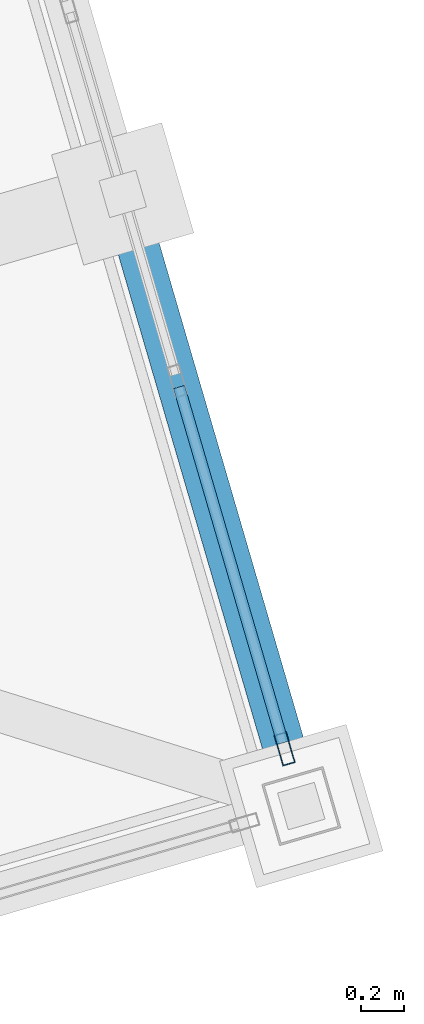
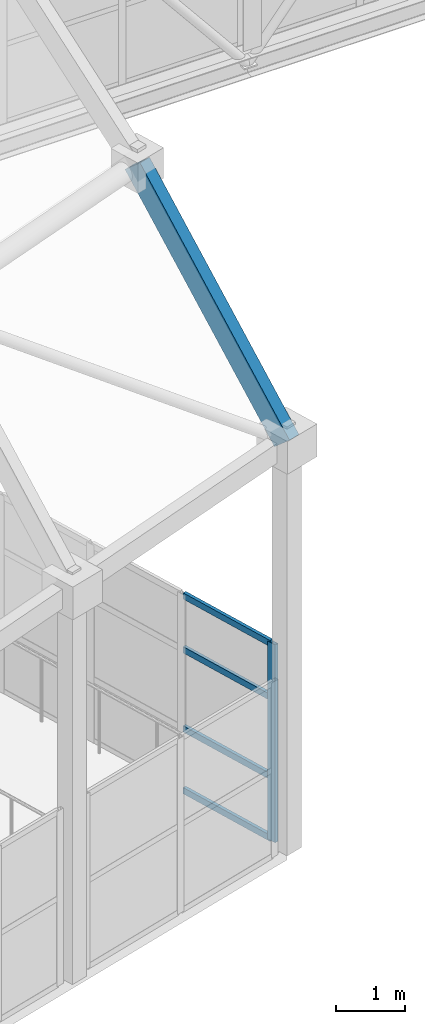
# One storey, part 71 of 248: 5 members, 1 beam, 1 element without a shape of its own.
"""IFC4 building model written with IfcOpenShell, lengths in metres."""

from ifc_helpers import new_model, si_unit, direction, frame, origin, origin_2d, place, context, subcontext, project, spatial, hollow_rectangle, extrude, material, layer, layer_set, material_profile, profile_set, type_object, element, aggregate, save


model = new_model("IFC4")

# Units and contexts
model_context = context("Model", 3, precision=1e-05, world=origin(), true_north=direction((0.0, 1.0)))
body_context = subcontext(model_context, "Body", "Model", "MODEL_VIEW")
ifc_project = project(units=[si_unit("LENGTHUNIT", "METRE"), si_unit("AREAUNIT", "SQUARE_METRE"), si_unit("VOLUMEUNIT", "CUBIC_METRE"), si_unit("PLANEANGLEUNIT", "RADIAN"), si_unit("MASSUNIT", "GRAM", prefix="KILO")], contexts=[model_context])

# Site, building, storey
site_placement = place(None, origin())
site = spatial("IfcSite", under=ifc_project, at=site_placement, CompositionType="ELEMENT")
building_placement = place(site_placement, origin())
building = spatial("IfcBuilding", under=site, at=building_placement, Name="Canggui Botanical Conservatory", CompositionType="ELEMENT")
storey_placement = place(building_placement, frame((0.0, 0.0, 5.39990234375)))
storey = spatial("IfcBuildingStorey", under=building, at=storey_placement, Name="L02", CompositionType="ELEMENT", Elevation=5.39990234375)

# Beam
ifc_material_1 = material(Name="Steel Q355C", Category="steel")
ifc_material_profile_1 = material_profile(ifc_material_1, hollow_rectangle(XDim=0.199951171875, YDim=0.39990234375, WallThickness=0.011962890625, at=origin_2d()), Name="RHS 200x400x12")
ifc_profile_set_1 = profile_set([ifc_material_profile_1], Name="Steel Q355C")
beam_type = type_object("IfcBeamType", Name="BM-GJ04", PredefinedType="BEAM", material=ifc_profile_set_1)
beam_placement = place(storey_placement, frame((71.840087890625, 57.1201171875, 7.2001953125), z_axis=(-0.183575457107, 0.629310111024, 0.755161463338), x_axis=(-0.959989061447, -0.280037500885, 0.0)))
element("IfcBeam", 1, at=beam_placement, inside=storey, type_object=beam_type, Name="Conservatory Stepped-Arch Rib GJ-15 Segment 1", PredefinedType="BEAM", context=body_context, shape_type="SweptSolid", body=[
    extrude(hollow_rectangle(XDim=0.199951171875, YDim=0.39990234375, WallThickness=0.011962890625, at=origin_2d()), origin(), (0.0, 0.0, 1.0), 4.576171875),
])

# Curtain wall, members
ifc_material_2 = material(Name="Thermally Broken Aluminium", Category="aluminium")
ifc_layer = layer(ifc_material_2, 0.14990234375, Name="Thermally Broken Aluminium", Category="aluminium")
ifc_layer_set = layer_set([ifc_layer], Name="Thermally Broken Aluminium")
curtain_wall_type = type_object("IfcCurtainWallType", Name="CW-UNIT-C", PredefinedType="USERDEFINED", material=ifc_layer_set)
curtain_wall_placement = place(storey_placement, origin())
curtain_wall = element("IfcCurtainWall", 2, at=curtain_wall_placement, inside=storey, type_object=curtain_wall_type, Name="Facade Curtain Wall CW-CONS-GABLE-L02-N-01", ObjectType="UNITISED CURTAIN WALL", PredefinedType="USERDEFINED")
ifc_material_profile_2 = material_profile(ifc_material_2, hollow_rectangle(XDim=0.06005859375, YDim=0.14990234375, WallThickness=0.00341796875, at=origin_2d()), Name="CWM 60x150x3.5")
ifc_profile_set_2 = profile_set([ifc_material_profile_2], Name="Thermally Broken Aluminium")
member_type_1 = type_object("IfcMemberType", Name="CWM-03", PredefinedType="MULLION", material=ifc_profile_set_2)
member_1_placement = place(storey_placement, frame((71.76171875, 57.388916015625, 0.0), z_axis=(0.0, 0.0, 1.0), x_axis=(-0.960000000002, -0.279999999995, 0.0)))
member_1 = element("IfcMember", 3, at=member_1_placement, type_object=member_type_1, Name="CW-03 mullion 1", PredefinedType="MULLION", context=body_context, shape_type="SweptSolid", body=[
    extrude(hollow_rectangle(XDim=0.06005859375, YDim=0.14990234375, WallThickness=0.00341796875, at=origin_2d()), origin(), (0.0, 0.0, 1.0), 3.5),
])
ifc_material_profile_3 = material_profile(ifc_material_2, hollow_rectangle(XDim=0.054931640625, YDim=0.110107421875, WallThickness=0.0029296875, at=origin_2d()), Name="CWT 55x110x3")
ifc_profile_set_3 = profile_set([ifc_material_profile_3], Name="Thermally Broken Aluminium")
member_type_2 = type_object("IfcMemberType", Name="CWT-03", PredefinedType="USERDEFINED", material=ifc_profile_set_3)
member_2_placement = place(storey_placement, frame((71.753173828125, 57.41748046875, 0.027587890625), z_axis=(-0.279913966289, 0.960025088983, 0.0), x_axis=(-0.960025088983, -0.279913966289, 0.0)))
member_2 = element("IfcMember", 4, at=member_2_placement, type_object=member_type_2, Name="CW-03 transom 1.1", ObjectType="TRANSOM", PredefinedType="USERDEFINED", context=body_context, shape_type="SweptSolid", body=[
    extrude(hollow_rectangle(XDim=0.054931640625, YDim=0.110107421875, WallThickness=0.0029296875, at=origin_2d()), origin(), (0.0, 0.0, 1.0), 1.743408203125),
])
member_3_placement = place(storey_placement, frame((71.753173828125, 57.41748046875, 1.1201171875), z_axis=(-0.279913966289, 0.960025088983, 0.0), x_axis=(-0.960025088983, -0.279913966289, 0.0)))
member_3 = element("IfcMember", 5, at=member_3_placement, type_object=member_type_2, Name="CW-03 transom 1.2", ObjectType="TRANSOM", PredefinedType="USERDEFINED", context=body_context, shape_type="SweptSolid", body=[
    extrude(hollow_rectangle(XDim=0.054931640625, YDim=0.110107421875, WallThickness=0.0029296875, at=origin_2d()), origin(), (0.0, 0.0, 1.0), 1.743408203125),
])
member_4_placement = place(storey_placement, frame((71.753173828125, 57.41748046875, 2.52001953125), z_axis=(-0.279913966289, 0.960025088983, 0.0), x_axis=(-0.960025088983, -0.279913966289, 0.0)))
member_4 = element("IfcMember", 6, at=member_4_placement, type_object=member_type_2, Name="CW-03 transom 1.3", ObjectType="TRANSOM", PredefinedType="USERDEFINED", context=body_context, shape_type="SweptSolid", body=[
    extrude(hollow_rectangle(XDim=0.054931640625, YDim=0.110107421875, WallThickness=0.0029296875, at=origin_2d()), origin(), (0.0, 0.0, 1.0), 1.743408203125),
])
member_5_placement = place(storey_placement, frame((71.753173828125, 57.41748046875, 3.47265625), z_axis=(-0.279913966289, 0.960025088983, 0.0), x_axis=(-0.960025088983, -0.279913966289, 0.0)))
member_5 = element("IfcMember", 7, at=member_5_placement, type_object=member_type_2, Name="CW-03 transom 1.4", ObjectType="TRANSOM", PredefinedType="USERDEFINED", context=body_context, shape_type="SweptSolid", body=[
    extrude(hollow_rectangle(XDim=0.054931640625, YDim=0.110107421875, WallThickness=0.0029296875, at=origin_2d()), origin(), (0.0, 0.0, 1.0), 1.743408203125),
])
aggregate(curtain_wall, [member_1, member_2, member_3, member_4, member_5])

save(model, "model.ifc")
